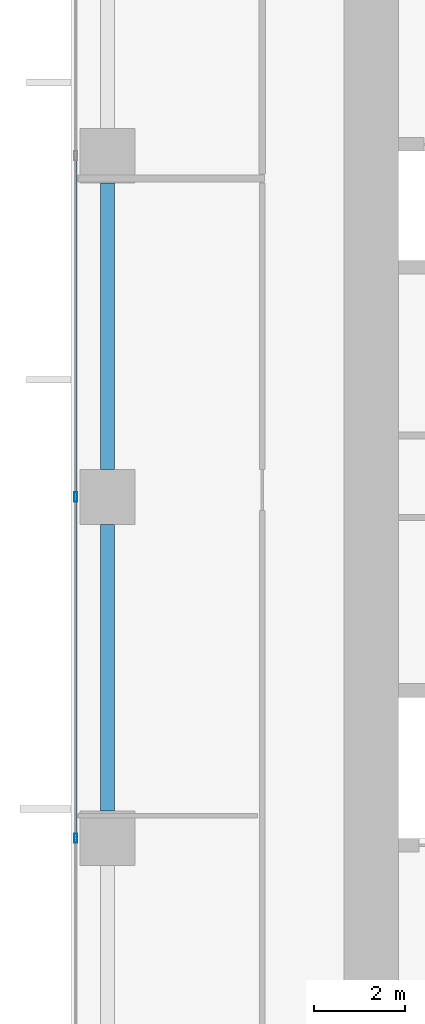
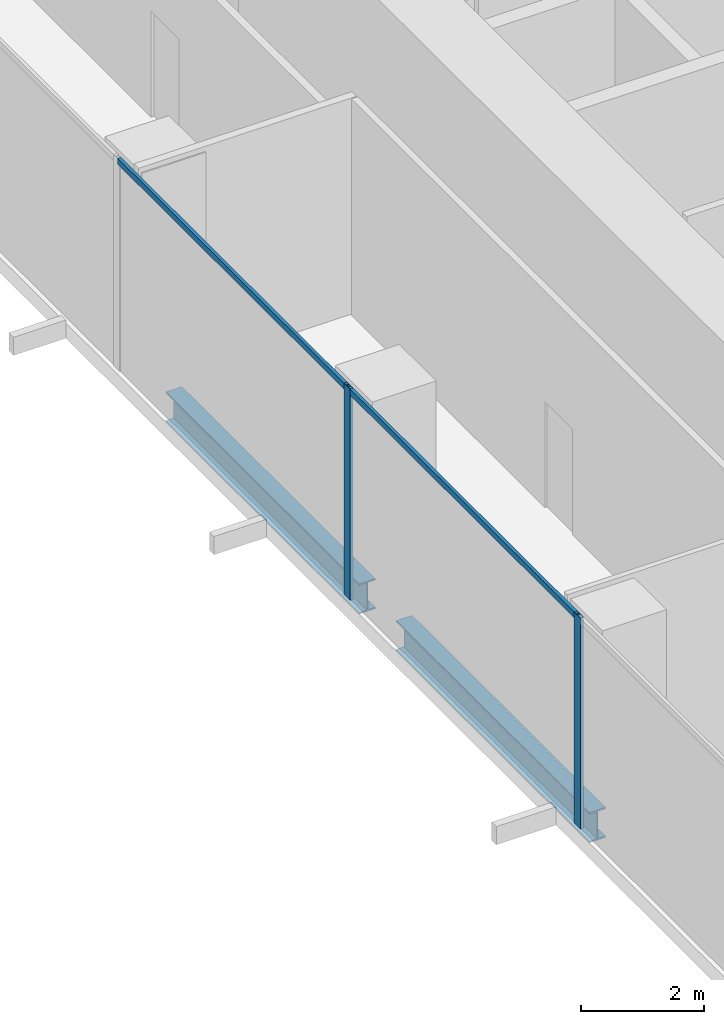
# One storey, part 5 of 32: 4 members, 2 beams, 1 element without a shape of its own.
"""IFC4 building model written with IfcOpenShell, lengths in metres."""

from ifc_helpers import new_model, si_unit, direction, frame, origin, origin_2d, place, context, subcontext, project, spatial, hollow_rectangle, i_section, extrude, source, transform, mapped, material, material_profile, profile_set, type_object, element, aggregate, save


model = new_model("IFC4")

# Units and contexts
model_context = context("Model", 3, precision=1e-05, world=origin(), true_north=direction((0.0, 1.0)))
body_context = subcontext(model_context, "Body", "Model", "MODEL_VIEW")
ifc_project = project(units=[si_unit("LENGTHUNIT", "METRE"), si_unit("AREAUNIT", "SQUARE_METRE"), si_unit("VOLUMEUNIT", "CUBIC_METRE"), si_unit("PLANEANGLEUNIT", "RADIAN"), si_unit("MASSUNIT", "GRAM", prefix="KILO")], contexts=[model_context])

# Site, building, storey
site_placement = place(None, origin())
site = spatial("IfcSite", under=ifc_project, at=site_placement, CompositionType="ELEMENT")
building_placement = place(site_placement, origin())
building = spatial("IfcBuilding", under=site, at=building_placement, Name="Khomas Fold Tower", CompositionType="ELEMENT")
storey_placement = place(building_placement, frame((0.0, 0.0, 37.5)))
storey = spatial("IfcBuildingStorey", under=building, at=storey_placement, Name="L07", CompositionType="ELEMENT", Elevation=37.5)

# Beams
ifc_material_1 = material(Name="Steel S355", Category="steel")
ifc_material_profile_1 = material_profile(ifc_material_1, i_section(OverallWidth=0.300048828125, OverallDepth=0.60009765625, WebThickness=0.015380859375, FlangeThickness=0.030029296875, at=origin_2d()), Name="HE 600 B")
ifc_profile_set_1 = profile_set([ifc_material_profile_1], Name="Steel S355")
beam_type = type_object("IfcBeamType", Name="HE 600 B spandrel SB1", PredefinedType="SPANDREL", material=ifc_profile_set_1)
shared_shape_1 = source(origin(), body_context, "Body", "SweptSolid", [
    extrude(i_section(OverallWidth=0.300048828125, OverallDepth=0.60009765625, WebThickness=0.015380859375, FlangeThickness=0.030029296875, at=origin_2d()), origin(), (0.0, 0.0, 1.0), 6.2998046875),
])
for number, where, z_axis, x_axis, name in (
    (1, (0.800048828125, 27.60009765625, -0.60009765625), (0.0, 1.0, 0.0), (-1.0, 0.0, 0.0), "SB1"),
    (2, (0.800048828125, 20.10009765625, -0.60009765625), (0.0, 1.0, 0.0), (-1.0, 0.0, 0.0), "SB1"),
):
    element("IfcBeam", number, at=place(storey_placement, frame(where, z_axis=z_axis, x_axis=x_axis)), inside=storey, type_object=beam_type, Name=name, PredefinedType="SPANDREL", context=body_context, shape_type="MappedRepresentation", body=[
        mapped(shared_shape_1, transform((0.0, 0.0, 0.0))),
    ])

# Curtain wall, members
ifc_material_2 = material(Name="Aluminium framed double glazing", Category="aluminium")
curtain_wall_type = type_object("IfcCurtainWallType", Name="SK-Unitised clear-glass wall, growing floors CW1", PredefinedType="NOTDEFINED", material=ifc_material_2)
curtain_wall_placement = place(storey_placement, origin())
curtain_wall = element("IfcCurtainWall", 3, at=curtain_wall_placement, inside=storey, type_object=curtain_wall_type, Name="CW1 run L07 09-0", PredefinedType="NOTDEFINED")
ifc_material_3 = material(Name="Aluminium", Category="aluminium")
ifc_material_profile_2 = material_profile(ifc_material_3, hollow_rectangle(XDim=0.06005859375, YDim=0.1201171875, WallThickness=0.00390625, at=origin_2d()), Name="SK-Unitised clear-glass wall, growing floors transom CW1-T")
ifc_profile_set_2 = profile_set([ifc_material_profile_2], Name="Aluminium")
member_type_1 = type_object("IfcMemberType", Name="SK-Unitised clear-glass wall, growing floors transom CW1-T", PredefinedType="USERDEFINED", material=ifc_profile_set_2)
shared_shape_2 = source(origin(), body_context, "Body", "SweptSolid", [
    extrude(hollow_rectangle(XDim=0.06005859375, YDim=0.1201171875, WallThickness=0.00390625, at=origin_2d()), origin(), (0.0, 0.0, 1.0), 7.43994140625),
])
member_1_placement = place(storey_placement, frame((0.10009765625, 34.469970703125, 4.139892578125), z_axis=(0.0, -1.0, 0.0), x_axis=(1.0, 0.0, 0.0)))
member_1 = element("IfcMember", 4, at=member_1_placement, type_object=member_type_1, Name="CW1 transom 4", ObjectType="TRANSOM", PredefinedType="USERDEFINED", context=body_context, shape_type="MappedRepresentation", body=[
    mapped(shared_shape_2, transform((0.0, 0.0, 0.0))),
])
member_2_placement = place(storey_placement, frame((0.10009765625, 26.969970703125, 4.139892578125), z_axis=(0.0, -1.0, 0.0), x_axis=(1.0, 0.0, 0.0)))
member_2 = element("IfcMember", 5, at=member_2_placement, type_object=member_type_1, Name="CW1 transom 5", ObjectType="TRANSOM", PredefinedType="USERDEFINED", context=body_context, shape_type="MappedRepresentation", body=[
    mapped(shared_shape_2, transform((0.0, 0.0, 0.0))),
])
ifc_material_4 = material(Name="Aluminium", Category="aluminium")
ifc_material_profile_3 = material_profile(ifc_material_4, hollow_rectangle(XDim=0.06005859375, YDim=0.199951171875, WallThickness=0.00390625, at=origin_2d()), Name="SK-Unitised clear-glass wall, growing floors mullion CW1-M")
ifc_profile_set_3 = profile_set([ifc_material_profile_3], Name="Aluminium")
member_type_2 = type_object("IfcMemberType", Name="SK-Unitised clear-glass wall, growing floors mullion CW1-M", PredefinedType="MULLION", material=ifc_profile_set_3)
shared_shape_3 = source(origin(), body_context, "Body", "SweptSolid", [
    extrude(hollow_rectangle(XDim=0.06005859375, YDim=0.199951171875, WallThickness=0.00390625, at=origin_2d()), origin(), (0.0, 0.0, 1.0), 4.199951171875),
])
member_3_placement = place(storey_placement, frame((0.10009765625, 27.0, 0.0), z_axis=(0.0, 0.0, 1.0), x_axis=(1.0, 0.0, 0.0)))
member_3 = element("IfcMember", 6, at=member_3_placement, type_object=member_type_2, Name="CW1 mullion 5", PredefinedType="MULLION", context=body_context, shape_type="MappedRepresentation", body=[
    mapped(shared_shape_3, transform((0.0, 0.0, 0.0))),
])
member_4_placement = place(storey_placement, frame((0.10009765625, 19.5, 0.0), z_axis=(0.0, 0.0, 1.0), x_axis=(1.0, 0.0, 0.0)))
member_4 = element("IfcMember", 7, at=member_4_placement, type_object=member_type_2, Name="CW1 mullion 6", PredefinedType="MULLION", context=body_context, shape_type="MappedRepresentation", body=[
    mapped(shared_shape_3, transform((0.0, 0.0, 0.0))),
])
aggregate(curtain_wall, [member_3, member_4, member_1, member_2])

save(model, "model.ifc")
